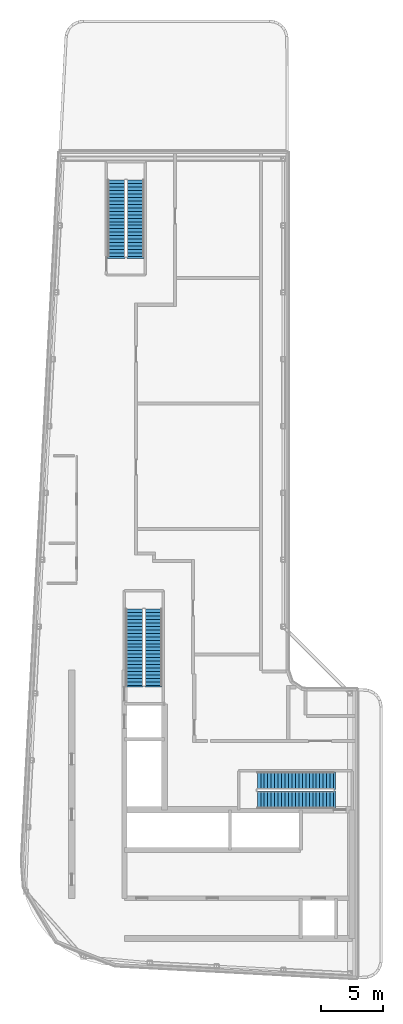
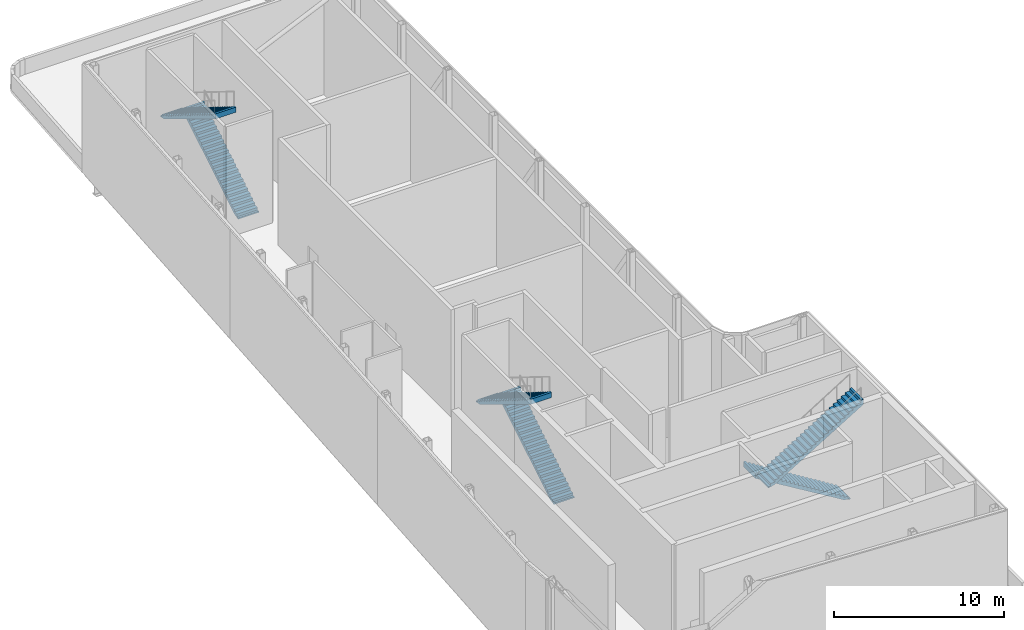
# One storey, part 6 of 10: 6 stair flights, 3 elements without a shape of their own.
"""IFC4 building model written with IfcOpenShell, lengths in metres."""

from ifc_helpers import new_model, si_unit, direction, frame, origin, place, context, subcontext, project, spatial, polyline, outline, extrude, material, layer, layer_set, type_object, element, aggregate, save


model = new_model("IFC4")

# Units and contexts
model_context = context("Model", 3, precision=1e-05, world=origin(), true_north=direction((0.0, 1.0)))
body_context = subcontext(model_context, "Body", "Model", "MODEL_VIEW")
ifc_project = project(units=[si_unit("LENGTHUNIT", "METRE"), si_unit("AREAUNIT", "SQUARE_METRE"), si_unit("VOLUMEUNIT", "CUBIC_METRE"), si_unit("PLANEANGLEUNIT", "RADIAN"), si_unit("MASSUNIT", "GRAM", prefix="KILO")], contexts=[model_context])

# Site, building, storey
site_placement = place(None, origin())
site = spatial("IfcSite", under=ifc_project, at=site_placement, CompositionType="ELEMENT")
building_placement = place(site_placement, origin())
building = spatial("IfcBuilding", under=site, at=building_placement, Name="Kheshtan School and Residences Tower", CompositionType="ELEMENT")
storey_placement = place(building_placement, frame((0.0, 0.0, 396.800048828125)))
storey = spatial("IfcBuildingStorey", under=building, at=storey_placement, Name="L93", CompositionType="ELEMENT", Elevation=396.800048828125)

# Stair, stair flights
ifc_material = material(Name="Concrete C40/50", Category="concrete")
stair_type = type_object("IfcStairType", Name="Exit stair, half-turn", PredefinedType="HALF_TURN_STAIR", material=ifc_material)
stair_1_placement = place(storey_placement, origin())
stair_1 = element("IfcStair", 1, at=stair_1_placement, inside=storey, type_object=stair_type, Name="L93 Protected Exit Stair ST1", PredefinedType="HALF_TURN_STAIR")
ifc_layer = layer(ifc_material, 0.14990234375)
ifc_layer_set = layer_set([ifc_layer], Name="Stair flight 1400 Concrete C40/50")
stair_flight_type = type_object("IfcStairFlightType", Name="Stair flight 1400 Concrete C40/50", PredefinedType="STRAIGHT", material=ifc_layer_set)
stair_flight_1_placement = place(storey_placement, frame((51.64990234375, 38.550048828125, 0.0), z_axis=(0.0, 0.0, 1.0), x_axis=(-1.0, 0.0, 0.0)))
stair_flight_1 = element("IfcStairFlight", 2, at=stair_flight_1_placement, type_object=stair_flight_type, Name="ST1 flight 1", NumberOfRisers=23, NumberOfTreads=22, PredefinedType="STRAIGHT", RiserHeight=0.173913043, TreadLength=0.28, context=body_context, shape_type="SweptSolid", body=[
    extrude(outline(polyline([(-0.14990234375, -0.10009765625), (-0.14990234375, 0.0), (0.0, 0.0), (0.0, 0.173828125), (0.280029296875, 0.173828125), (0.280029296875, 0.347900390625), (0.56005859375, 0.347900390625), (0.56005859375, 0.521728515625), (0.840087890625, 0.521728515625), (0.840087890625, 0.695556640625), (1.1201171875, 0.695556640625), (1.1201171875, 0.86962890625), (1.39990234375, 0.86962890625), (1.39990234375, 1.04345703125), (1.679931640625, 1.04345703125), (1.679931640625, 1.21728515625), (1.9599609375, 1.21728515625), (1.9599609375, 1.391357421875), (2.239990234375, 1.391357421875), (2.239990234375, 1.565185546875), (2.52001953125, 1.565185546875), (2.52001953125, 1.739013671875), (2.800048828125, 1.739013671875), (2.800048828125, 1.9130859375), (3.080078125, 1.9130859375), (3.080078125, 2.0869140625), (3.360107421875, 2.0869140625), (3.360107421875, 2.260986328125), (3.639892578125, 2.260986328125), (3.639892578125, 2.434814453125), (3.919921875, 2.434814453125), (3.919921875, 2.608642578125), (4.199951171875, 2.608642578125), (4.199951171875, 2.78271484375), (4.47998046875, 2.78271484375), (4.47998046875, 2.95654296875), (4.760009765625, 2.95654296875), (4.760009765625, 3.13037109375), (5.0400390625, 3.13037109375), (5.0400390625, 3.304443359375), (5.320068359375, 3.304443359375), (5.320068359375, 3.478271484375), (5.60009765625, 3.478271484375), (5.60009765625, 3.652099609375), (5.8798828125, 3.652099609375), (5.8798828125, 3.826171875), (6.159912109375, 3.826171875), (6.159912109375, 4.0), (6.159912109375, 4.02001953125), (6.309814453125, 4.02001953125), (6.309814453125, 3.649658203125), (0.2841796875, 0.0), (-0.14990234375, -0.10009765625)])), frame((0.0, 0.699951171875, 0.0), z_axis=(0.0, -1.0, 0.0), x_axis=(1.0, 0.0, 0.0)), (0.0, 0.0, 1.0), 1.39990234375),
])
stair_flight_2_placement = place(storey_placement, frame((45.489990234375, 37.0, 4.0), z_axis=(0.0, 0.0, 1.0), x_axis=(1.0, 0.0, 0.0)))
stair_flight_2 = element("IfcStairFlight", 3, at=stair_flight_2_placement, type_object=stair_flight_type, Name="ST1 flight 2", NumberOfRisers=23, NumberOfTreads=22, PredefinedType="STRAIGHT", RiserHeight=0.173913043, TreadLength=0.28, context=body_context, shape_type="SweptSolid", body=[
    extrude(outline(polyline([(-0.14990234375, -0.10009765625), (-0.14990234375, 0.0), (0.0, 0.0), (0.0, 0.173828125), (0.280029296875, 0.173828125), (0.280029296875, 0.347900390625), (0.56005859375, 0.347900390625), (0.56005859375, 0.521728515625), (0.840087890625, 0.521728515625), (0.840087890625, 0.695556640625), (1.1201171875, 0.695556640625), (1.1201171875, 0.86962890625), (1.39990234375, 0.86962890625), (1.39990234375, 1.04345703125), (1.679931640625, 1.04345703125), (1.679931640625, 1.21728515625), (1.9599609375, 1.21728515625), (1.9599609375, 1.391357421875), (2.239990234375, 1.391357421875), (2.239990234375, 1.565185546875), (2.52001953125, 1.565185546875), (2.52001953125, 1.739013671875), (2.800048828125, 1.739013671875), (2.800048828125, 1.9130859375), (3.080078125, 1.9130859375), (3.080078125, 2.0869140625), (3.360107421875, 2.0869140625), (3.360107421875, 2.260986328125), (3.639892578125, 2.260986328125), (3.639892578125, 2.434814453125), (3.919921875, 2.434814453125), (3.919921875, 2.608642578125), (4.199951171875, 2.608642578125), (4.199951171875, 2.78271484375), (4.47998046875, 2.78271484375), (4.47998046875, 2.95654296875), (4.760009765625, 2.95654296875), (4.760009765625, 3.13037109375), (5.0400390625, 3.13037109375), (5.0400390625, 3.304443359375), (5.320068359375, 3.304443359375), (5.320068359375, 3.478271484375), (5.60009765625, 3.478271484375), (5.60009765625, 3.652099609375), (5.8798828125, 3.652099609375), (5.8798828125, 3.826171875), (6.159912109375, 3.826171875), (6.159912109375, 4.0), (6.159912109375, 4.02001953125), (6.309814453125, 4.02001953125), (6.309814453125, 3.649658203125), (0.2841796875, 0.0), (-0.14990234375, -0.10009765625)])), frame((0.0, 0.699951171875, 0.0), z_axis=(0.0, -1.0, 0.0), x_axis=(1.0, 0.0, 0.0)), (0.0, 0.0, 1.0), 1.39990234375),
])
aggregate(stair_1, [stair_flight_1, stair_flight_2])

stair_2_placement = place(storey_placement, origin())
stair_2 = element("IfcStair", 4, at=stair_2_placement, inside=storey, type_object=stair_type, Name="L93 Protected Exit Stair ST2", PredefinedType="HALF_TURN_STAIR")
stair_flight_3_placement = place(storey_placement, frame((37.10009765625, 46.25, 0.0), z_axis=(0.0, 0.0, 1.0), x_axis=(0.0, 1.0, 0.0)))
stair_flight_3 = element("IfcStairFlight", 5, at=stair_flight_3_placement, type_object=stair_flight_type, Name="ST2 flight 1", NumberOfRisers=23, NumberOfTreads=22, PredefinedType="STRAIGHT", RiserHeight=0.173913043, TreadLength=0.28, context=body_context, shape_type="SweptSolid", body=[
    extrude(outline(polyline([(-0.14990234375, -0.10009765625), (-0.14990234375, 0.0), (0.0, 0.0), (0.0, 0.173828125), (0.280029296875, 0.173828125), (0.280029296875, 0.347900390625), (0.56005859375, 0.347900390625), (0.56005859375, 0.521728515625), (0.840087890625, 0.521728515625), (0.840087890625, 0.695556640625), (1.1201171875, 0.695556640625), (1.1201171875, 0.86962890625), (1.39990234375, 0.86962890625), (1.39990234375, 1.04345703125), (1.679931640625, 1.04345703125), (1.679931640625, 1.21728515625), (1.9599609375, 1.21728515625), (1.9599609375, 1.391357421875), (2.239990234375, 1.391357421875), (2.239990234375, 1.565185546875), (2.52001953125, 1.565185546875), (2.52001953125, 1.739013671875), (2.800048828125, 1.739013671875), (2.800048828125, 1.9130859375), (3.080078125, 1.9130859375), (3.080078125, 2.0869140625), (3.360107421875, 2.0869140625), (3.360107421875, 2.260986328125), (3.639892578125, 2.260986328125), (3.639892578125, 2.434814453125), (3.919921875, 2.434814453125), (3.919921875, 2.608642578125), (4.199951171875, 2.608642578125), (4.199951171875, 2.78271484375), (4.47998046875, 2.78271484375), (4.47998046875, 2.95654296875), (4.760009765625, 2.95654296875), (4.760009765625, 3.13037109375), (5.0400390625, 3.13037109375), (5.0400390625, 3.304443359375), (5.320068359375, 3.304443359375), (5.320068359375, 3.478271484375), (5.60009765625, 3.478271484375), (5.60009765625, 3.652099609375), (5.8798828125, 3.652099609375), (5.8798828125, 3.826171875), (6.159912109375, 3.826171875), (6.159912109375, 4.0), (6.159912109375, 4.02001953125), (6.309814453125, 4.02001953125), (6.309814453125, 3.649658203125), (0.2841796875, 0.0), (-0.14990234375, -0.10009765625)])), frame((0.0, 0.699951171875, 0.0), z_axis=(0.0, -1.0, 0.0), x_axis=(1.0, 0.0, 0.0)), (0.0, 0.0, 1.0), 1.39990234375),
])
stair_flight_4_placement = place(storey_placement, frame((35.550048828125, 52.409912109375, 4.0), z_axis=(0.0, 0.0, 1.0), x_axis=(0.0, -1.0, 0.0)))
stair_flight_4 = element("IfcStairFlight", 6, at=stair_flight_4_placement, type_object=stair_flight_type, Name="ST2 flight 2", NumberOfRisers=23, NumberOfTreads=22, PredefinedType="STRAIGHT", RiserHeight=0.173913043, TreadLength=0.28, context=body_context, shape_type="SweptSolid", body=[
    extrude(outline(polyline([(-0.14990234375, -0.10009765625), (-0.14990234375, 0.0), (0.0, 0.0), (0.0, 0.173828125), (0.280029296875, 0.173828125), (0.280029296875, 0.347900390625), (0.56005859375, 0.347900390625), (0.56005859375, 0.521728515625), (0.840087890625, 0.521728515625), (0.840087890625, 0.695556640625), (1.1201171875, 0.695556640625), (1.1201171875, 0.86962890625), (1.39990234375, 0.86962890625), (1.39990234375, 1.04345703125), (1.679931640625, 1.04345703125), (1.679931640625, 1.21728515625), (1.9599609375, 1.21728515625), (1.9599609375, 1.391357421875), (2.239990234375, 1.391357421875), (2.239990234375, 1.565185546875), (2.52001953125, 1.565185546875), (2.52001953125, 1.739013671875), (2.800048828125, 1.739013671875), (2.800048828125, 1.9130859375), (3.080078125, 1.9130859375), (3.080078125, 2.0869140625), (3.360107421875, 2.0869140625), (3.360107421875, 2.260986328125), (3.639892578125, 2.260986328125), (3.639892578125, 2.434814453125), (3.919921875, 2.434814453125), (3.919921875, 2.608642578125), (4.199951171875, 2.608642578125), (4.199951171875, 2.78271484375), (4.47998046875, 2.78271484375), (4.47998046875, 2.95654296875), (4.760009765625, 2.95654296875), (4.760009765625, 3.13037109375), (5.0400390625, 3.13037109375), (5.0400390625, 3.304443359375), (5.320068359375, 3.304443359375), (5.320068359375, 3.478271484375), (5.60009765625, 3.478271484375), (5.60009765625, 3.652099609375), (5.8798828125, 3.652099609375), (5.8798828125, 3.826171875), (6.159912109375, 3.826171875), (6.159912109375, 4.0), (6.159912109375, 4.02001953125), (6.309814453125, 4.02001953125), (6.309814453125, 3.649658203125), (0.2841796875, 0.0), (-0.14990234375, -0.10009765625)])), frame((0.0, 0.699951171875, 0.0), z_axis=(0.0, -1.0, 0.0), x_axis=(1.0, 0.0, 0.0)), (0.0, 0.0, 1.0), 1.39990234375),
])
aggregate(stair_2, [stair_flight_3, stair_flight_4])

stair_3_placement = place(storey_placement, origin())
stair_3 = element("IfcStair", 7, at=stair_3_placement, inside=storey, type_object=stair_type, Name="L93 Protected Exit Stair ST3", PredefinedType="HALF_TURN_STAIR")
stair_flight_5_placement = place(storey_placement, frame((35.64990234375, 80.89990234375, 0.0), z_axis=(0.0, 0.0, 1.0), x_axis=(0.0, 1.0, 0.0)))
stair_flight_5 = element("IfcStairFlight", 8, at=stair_flight_5_placement, type_object=stair_flight_type, Name="ST3 flight 1", NumberOfRisers=23, NumberOfTreads=22, PredefinedType="STRAIGHT", RiserHeight=0.173913043, TreadLength=0.28, context=body_context, shape_type="SweptSolid", body=[
    extrude(outline(polyline([(-0.14990234375, -0.10009765625), (-0.14990234375, 0.0), (0.0, 0.0), (0.0, 0.173828125), (0.280029296875, 0.173828125), (0.280029296875, 0.347900390625), (0.56005859375, 0.347900390625), (0.56005859375, 0.521728515625), (0.840087890625, 0.521728515625), (0.840087890625, 0.695556640625), (1.1201171875, 0.695556640625), (1.1201171875, 0.86962890625), (1.39990234375, 0.86962890625), (1.39990234375, 1.04345703125), (1.679931640625, 1.04345703125), (1.679931640625, 1.21728515625), (1.9599609375, 1.21728515625), (1.9599609375, 1.391357421875), (2.239990234375, 1.391357421875), (2.239990234375, 1.565185546875), (2.52001953125, 1.565185546875), (2.52001953125, 1.739013671875), (2.800048828125, 1.739013671875), (2.800048828125, 1.9130859375), (3.080078125, 1.9130859375), (3.080078125, 2.0869140625), (3.360107421875, 2.0869140625), (3.360107421875, 2.260986328125), (3.639892578125, 2.260986328125), (3.639892578125, 2.434814453125), (3.919921875, 2.434814453125), (3.919921875, 2.608642578125), (4.199951171875, 2.608642578125), (4.199951171875, 2.78271484375), (4.47998046875, 2.78271484375), (4.47998046875, 2.95654296875), (4.760009765625, 2.95654296875), (4.760009765625, 3.13037109375), (5.0400390625, 3.13037109375), (5.0400390625, 3.304443359375), (5.320068359375, 3.304443359375), (5.320068359375, 3.478271484375), (5.60009765625, 3.478271484375), (5.60009765625, 3.652099609375), (5.8798828125, 3.652099609375), (5.8798828125, 3.826171875), (6.159912109375, 3.826171875), (6.159912109375, 4.0), (6.159912109375, 4.02001953125), (6.309814453125, 4.02001953125), (6.309814453125, 3.649658203125), (0.2841796875, 0.0), (-0.14990234375, -0.10009765625)])), frame((0.0, 0.699951171875, 0.0), z_axis=(0.0, -1.0, 0.0), x_axis=(1.0, 0.0, 0.0)), (0.0, 0.0, 1.0), 1.39990234375),
])
stair_flight_6_placement = place(storey_placement, frame((34.10009765625, 87.06005859375, 4.0), z_axis=(0.0, 0.0, 1.0), x_axis=(0.0, -1.0, 0.0)))
stair_flight_6 = element("IfcStairFlight", 9, at=stair_flight_6_placement, type_object=stair_flight_type, Name="ST3 flight 2", NumberOfRisers=23, NumberOfTreads=22, PredefinedType="STRAIGHT", RiserHeight=0.173913043, TreadLength=0.28, context=body_context, shape_type="SweptSolid", body=[
    extrude(outline(polyline([(-0.14990234375, -0.10009765625), (-0.14990234375, 0.0), (0.0, 0.0), (0.0, 0.173828125), (0.280029296875, 0.173828125), (0.280029296875, 0.347900390625), (0.56005859375, 0.347900390625), (0.56005859375, 0.521728515625), (0.840087890625, 0.521728515625), (0.840087890625, 0.695556640625), (1.1201171875, 0.695556640625), (1.1201171875, 0.86962890625), (1.39990234375, 0.86962890625), (1.39990234375, 1.04345703125), (1.679931640625, 1.04345703125), (1.679931640625, 1.21728515625), (1.9599609375, 1.21728515625), (1.9599609375, 1.391357421875), (2.239990234375, 1.391357421875), (2.239990234375, 1.565185546875), (2.52001953125, 1.565185546875), (2.52001953125, 1.739013671875), (2.800048828125, 1.739013671875), (2.800048828125, 1.9130859375), (3.080078125, 1.9130859375), (3.080078125, 2.0869140625), (3.360107421875, 2.0869140625), (3.360107421875, 2.260986328125), (3.639892578125, 2.260986328125), (3.639892578125, 2.434814453125), (3.919921875, 2.434814453125), (3.919921875, 2.608642578125), (4.199951171875, 2.608642578125), (4.199951171875, 2.78271484375), (4.47998046875, 2.78271484375), (4.47998046875, 2.95654296875), (4.760009765625, 2.95654296875), (4.760009765625, 3.13037109375), (5.0400390625, 3.13037109375), (5.0400390625, 3.304443359375), (5.320068359375, 3.304443359375), (5.320068359375, 3.478271484375), (5.60009765625, 3.478271484375), (5.60009765625, 3.652099609375), (5.8798828125, 3.652099609375), (5.8798828125, 3.826171875), (6.159912109375, 3.826171875), (6.159912109375, 4.0), (6.159912109375, 4.02001953125), (6.309814453125, 4.02001953125), (6.309814453125, 3.649658203125), (0.2841796875, 0.0), (-0.14990234375, -0.10009765625)])), frame((0.0, 0.699951171875, 0.0), z_axis=(0.0, -1.0, 0.0), x_axis=(1.0, 0.0, 0.0)), (0.0, 0.0, 1.0), 1.39990234375),
])
aggregate(stair_3, [stair_flight_5, stair_flight_6])

save(model, "model.ifc")
